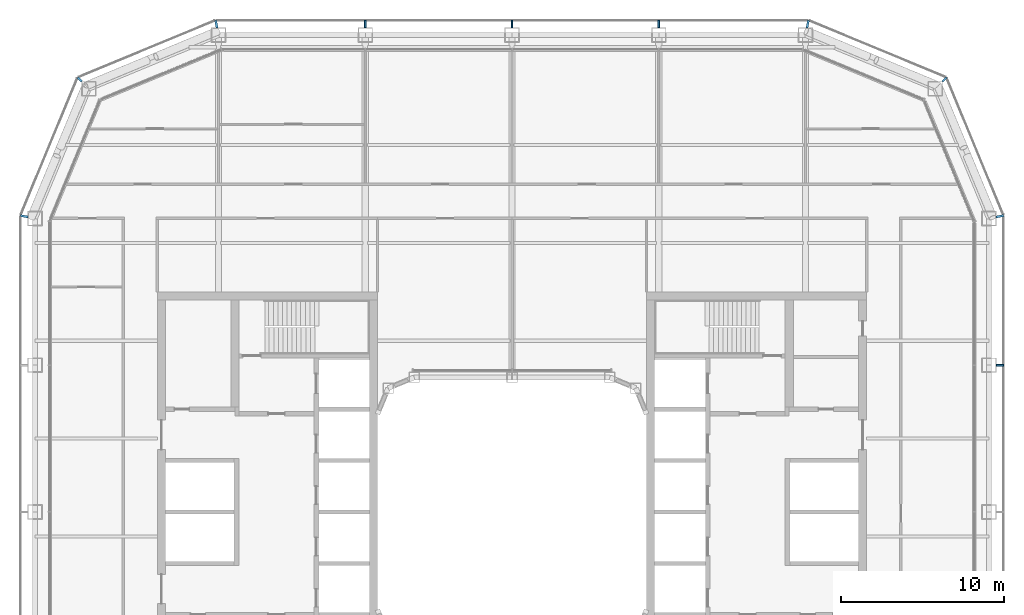
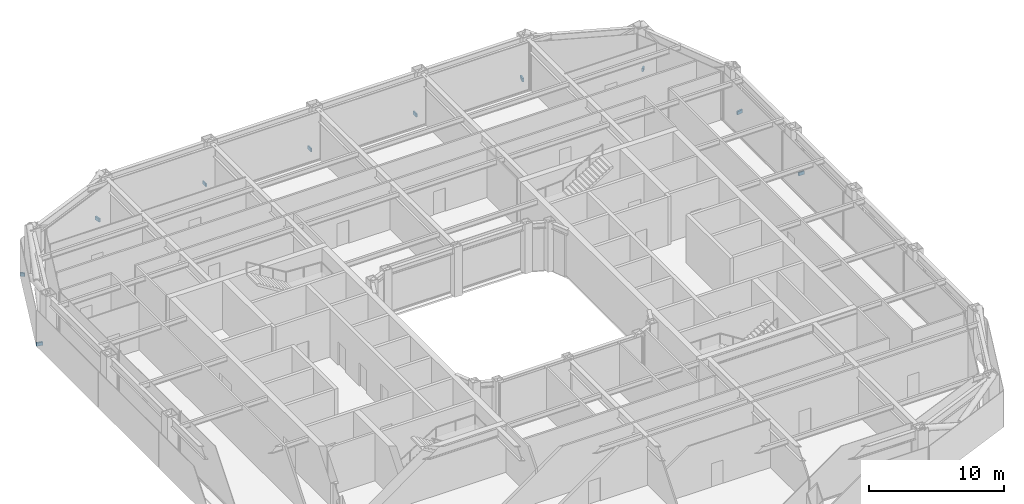
# One storey, part 16 of 21: 10 discrete accessories.
"""IFC4 building model written with IfcOpenShell, lengths in metres."""

from ifc_helpers import new_model, si_unit, direction, frame, origin, origin_2d, place, context, subcontext, project, spatial, rectangle, extrude, material, type_object, element, save


model = new_model("IFC4")

# Units and contexts
model_context = context("Model", 3, precision=1e-05, world=origin(), true_north=direction((0.0, 1.0)))
body_context = subcontext(model_context, "Body", "Model", "MODEL_VIEW")
ifc_project = project(units=[si_unit("LENGTHUNIT", "METRE"), si_unit("AREAUNIT", "SQUARE_METRE"), si_unit("VOLUMEUNIT", "CUBIC_METRE"), si_unit("PLANEANGLEUNIT", "RADIAN"), si_unit("MASSUNIT", "GRAM", prefix="KILO")], contexts=[model_context])

# Site, building, storey
site_placement = place(None, origin())
site = spatial("IfcSite", under=ifc_project, at=site_placement, CompositionType="ELEMENT")
building_placement = place(site_placement, origin())
building = spatial("IfcBuilding", under=site, at=building_placement, Name="Siwar Civic Tower", CompositionType="ELEMENT")
storey_placement = place(building_placement, frame((0.0, 0.0, 158.699951171875)))
storey = spatial("IfcBuildingStorey", under=building, at=storey_placement, Name="L34", CompositionType="ELEMENT", Elevation=158.699951171875)

# Discrete accessories
ifc_material = material(Name="Stainless steel 316", Category="steel")
discrete_accessory_type = type_object("IfcDiscreteAccessoryType", Name="ENV-BRACKET", PredefinedType="BRACKET", material=ifc_material)
for number, where, z_axis, x_axis, name in (
    (1, (29.9150390625, 9.0, -0.14990234375), (0.0, 0.0, 1.0), (1.0, 0.0, 0.0), "Bracket outer skin joint E-03"),
    (2, (9.0, 29.9150390625, -0.14990234375), (0.0, 0.0, 1.0), (0.0, 1.0, 0.0), "Bracket outer skin joint N-01"),
    (3, (0.0, 29.9150390625, -0.14990234375), (0.0, 0.0, 1.0), (0.0, 1.0, 0.0), "Bracket outer skin joint N-02"),
    (4, (-9.0, 29.9150390625, -0.14990234375), (0.0, 0.0, 1.0), (0.0, 1.0, 0.0), "Bracket outer skin joint N-03"),
):
    element("IfcDiscreteAccessory", number, at=place(storey_placement, frame(where, z_axis=z_axis, x_axis=x_axis)), inside=storey, type_object=discrete_accessory_type, Name=name, PredefinedType="BRACKET", context=body_context, shape_type="SweptSolid", body=[
        extrude(rectangle(XDim=0.469970703125, YDim=0.10009765625, at=origin_2d()), origin(), (0.0, 0.0, 1.0), 0.300048828125),
    ])
discrete_accessory_1_placement = place(storey_placement, frame((29.915283203125, 18.13232421875, -0.14990234375), z_axis=(0.0, 0.0, 1.0), x_axis=(0.980785280403, 0.195090322016, 0.0)))
element("IfcDiscreteAccessory", 5, at=discrete_accessory_1_placement, inside=storey, type_object=discrete_accessory_type, Name="Bracket outer skin joint V04", PredefinedType="BRACKET", context=body_context, shape_type="SweptSolid", body=[
    extrude(rectangle(XDim=0.478759765625, YDim=0.13720703125, at=origin_2d()), origin(), (0.0, 0.0, 1.0), 0.300048828125),
])
discrete_accessory_2_placement = place(storey_placement, frame((26.517333984375, 26.517333984375, -0.14990234375), z_axis=(0.0, 0.0, 1.0), x_axis=(0.707106781187, 0.707106781187, 0.0)))
element("IfcDiscreteAccessory", 6, at=discrete_accessory_2_placement, inside=storey, type_object=discrete_accessory_type, Name="Bracket outer skin joint V05", PredefinedType="BRACKET", context=body_context, shape_type="SweptSolid", body=[
    extrude(rectangle(XDim=0.357666015625, YDim=0.12939453125, at=origin_2d()), origin(), (0.0, 0.0, 1.0), 0.300048828125),
])
for number, where, z_axis, x_axis, name in (
    (7, (18.13232421875, 29.915283203125, -0.14990234375), (0.0, 0.0, 1.0), (0.195090322016, 0.980785280403, 0.0), "Bracket outer skin joint V06"),
    (8, (-18.13232421875, 29.915283203125, -0.14990234375), (0.0, 0.0, 1.0), (-0.195090322016, 0.980785280403, 0.0), "Bracket outer skin joint V07"),
):
    element("IfcDiscreteAccessory", number, at=place(storey_placement, frame(where, z_axis=z_axis, x_axis=x_axis)), inside=storey, type_object=discrete_accessory_type, Name=name, PredefinedType="BRACKET", context=body_context, shape_type="SweptSolid", body=[
        extrude(rectangle(XDim=0.478759765625, YDim=0.13720703125, at=origin_2d()), origin(), (0.0, 0.0, 1.0), 0.300048828125),
    ])
discrete_accessory_3_placement = place(storey_placement, frame((-26.517333984375, 26.517333984375, -0.14990234375), z_axis=(0.0, 0.0, 1.0), x_axis=(-0.707106781187, 0.707106781187, 0.0)))
element("IfcDiscreteAccessory", 9, at=discrete_accessory_3_placement, inside=storey, type_object=discrete_accessory_type, Name="Bracket outer skin joint V08", PredefinedType="BRACKET", context=body_context, shape_type="SweptSolid", body=[
    extrude(rectangle(XDim=0.357666015625, YDim=0.12939453125, at=origin_2d()), origin(), (0.0, 0.0, 1.0), 0.300048828125),
])
discrete_accessory_4_placement = place(storey_placement, frame((-29.915283203125, 18.13232421875, -0.14990234375), z_axis=(0.0, 0.0, 1.0), x_axis=(-0.980785280403, 0.195090322016, 0.0)))
element("IfcDiscreteAccessory", 10, at=discrete_accessory_4_placement, inside=storey, type_object=discrete_accessory_type, Name="Bracket outer skin joint V09", PredefinedType="BRACKET", context=body_context, shape_type="SweptSolid", body=[
    extrude(rectangle(XDim=0.478759765625, YDim=0.13720703125, at=origin_2d()), origin(), (0.0, 0.0, 1.0), 0.300048828125),
])

save(model, "model.ifc")
